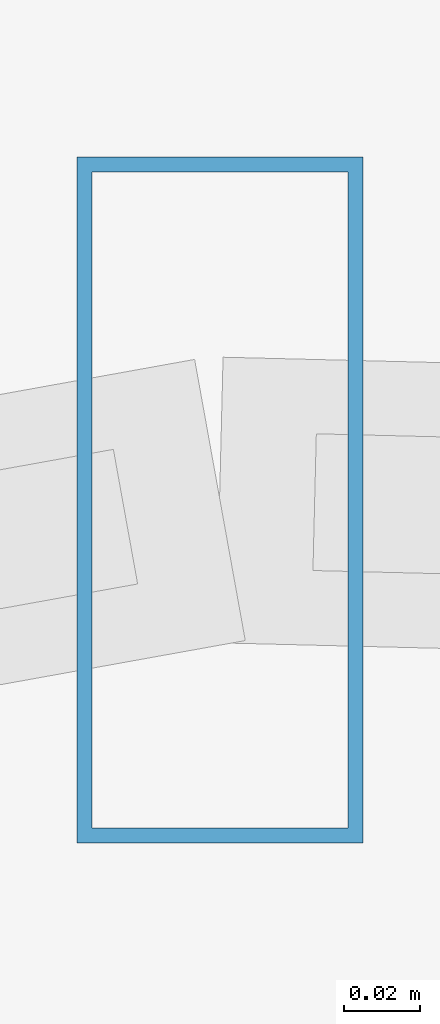
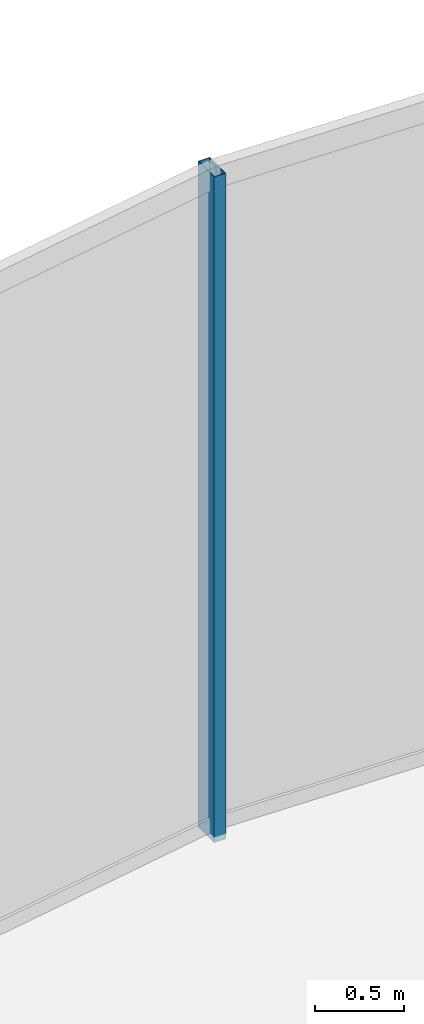
# One storey, part 15 of 26: 1 member, 1 element without a shape of its own.
"""IFC4 building model written with IfcOpenShell, lengths in metres."""

from ifc_helpers import new_model, si_unit, direction, frame, origin, origin_2d, place, context, subcontext, project, spatial, hollow_rectangle, extrude, material, material_profile, profile_set, type_object, element, aggregate, save


model = new_model("IFC4")

# Units and contexts
model_context = context("Model", 3, precision=1e-05, world=origin(), true_north=direction((0.0, 1.0)))
body_context = subcontext(model_context, "Body", "Model", "MODEL_VIEW")
ifc_project = project(units=[si_unit("LENGTHUNIT", "METRE"), si_unit("AREAUNIT", "SQUARE_METRE"), si_unit("VOLUMEUNIT", "CUBIC_METRE"), si_unit("PLANEANGLEUNIT", "RADIAN"), si_unit("MASSUNIT", "GRAM", prefix="KILO")], contexts=[model_context])

# Site, building, storey
site_placement = place(None, origin())
site = spatial("IfcSite", under=ifc_project, at=site_placement, CompositionType="ELEMENT")
building_placement = place(site_placement, origin())
building = spatial("IfcBuilding", under=site, at=building_placement, Name="Vorneva Point Tower", CompositionType="ELEMENT")
storey_placement = place(building_placement, frame((0.0, 0.0, 14.39990234375)))
storey = spatial("IfcBuildingStorey", under=building, at=storey_placement, Name="L03", CompositionType="ELEMENT", Elevation=14.39990234375)

# Curtain wall, member
ifc_material = material(Name="Pale anodised aluminium", Category="aluminium")
curtain_wall_type = type_object("IfcCurtainWallType", Name="CW-POD-SYS", PredefinedType="NOTDEFINED", material=ifc_material)
curtain_wall_placement = place(storey_placement, origin())
curtain_wall = element("IfcCurtainWall", 1, at=curtain_wall_placement, inside=storey, type_object=curtain_wall_type, Name="L03 Unitised Curtain Wall CW-L03-R02", PredefinedType="NOTDEFINED")
ifc_material_profile = material_profile(ifc_material, hollow_rectangle(XDim=0.074951171875, YDim=0.179931640625, WallThickness=0.00390625, at=origin_2d()), Name="AL-MUL 180x75x4")
ifc_profile_set = profile_set([ifc_material_profile], Name="Pale anodised aluminium")
member_type = type_object("IfcMemberType", Name="CW-MUL-180", PredefinedType="MULLION", material=ifc_profile_set)
member_placement = place(storey_placement, frame((25.820556640625, 48.748779296875, -0.039794921875), z_axis=(0.0, 0.0, 1.0), x_axis=(1.0, 0.0, 0.0)))
member = element("IfcMember", 2, at=member_placement, type_object=member_type, Name="CW-L03-R02 Mullion 02", PredefinedType="MULLION", context=body_context, shape_type="SweptSolid", body=[
    extrude(hollow_rectangle(XDim=0.074951171875, YDim=0.179931640625, WallThickness=0.00390625, at=origin_2d()), origin(), (0.0, 0.0, 1.0), 4.5498046875),
])
aggregate(curtain_wall, [member])

save(model, "model.ifc")
